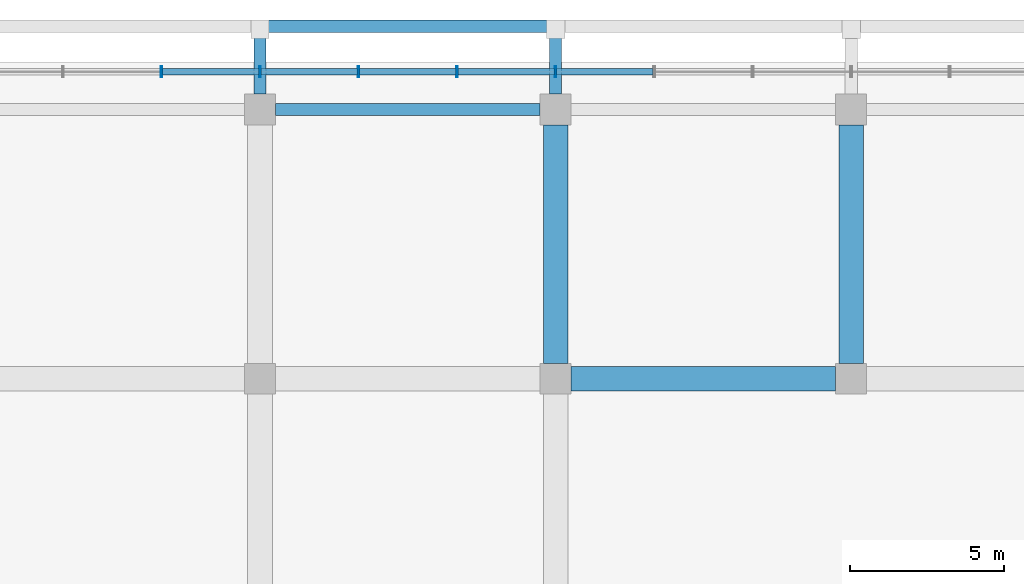
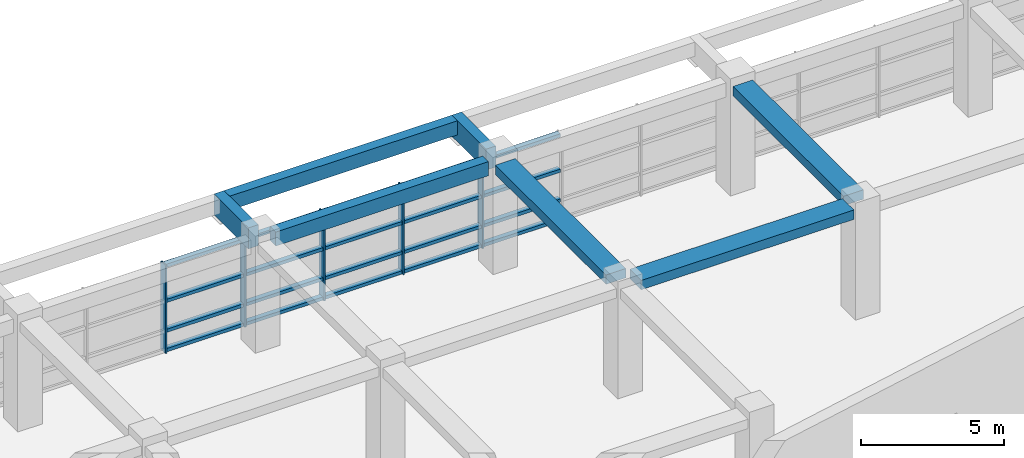
# One storey, part 4 of 31: 25 members, 7 beams, 1 element without a shape of its own.
"""IFC4 building model written with IfcOpenShell, lengths in metres."""

from ifc_helpers import new_model, si_unit, direction, frame, origin, origin_2d, place, context, subcontext, project, spatial, rectangle, hollow_rectangle, extrude, material, layer, layer_set, material_profile, profile_set, type_object, element, aggregate, save


model = new_model("IFC4")

# Units and contexts
model_context = context("Model", 3, precision=1e-05, world=origin(), true_north=direction((0.0, 1.0)))
body_context = subcontext(model_context, "Body", "Model", "MODEL_VIEW")
ifc_project = project(units=[si_unit("LENGTHUNIT", "METRE"), si_unit("AREAUNIT", "SQUARE_METRE"), si_unit("VOLUMEUNIT", "CUBIC_METRE"), si_unit("PLANEANGLEUNIT", "RADIAN"), si_unit("MASSUNIT", "GRAM", prefix="KILO")], contexts=[model_context])

# Site, building, storey
site_placement = place(None, origin())
site = spatial("IfcSite", under=ifc_project, at=site_placement, CompositionType="ELEMENT")
building_placement = place(site_placement, origin())
building = spatial("IfcBuilding", under=site, at=building_placement, Name="Nzadi Deep Aquarium and Research Tower", CompositionType="ELEMENT")
storey_placement = place(building_placement, frame((0.0, 0.0, 21.699951171875)))
storey = spatial("IfcBuildingStorey", under=building, at=storey_placement, Name="L03", CompositionType="ELEMENT", Elevation=21.699951171875)

# Curtain wall, members
ifc_material_1 = material(Name="Aluminium unitised frame tall span", Category="aluminium")
ifc_layer = layer(ifc_material_1, 0.35009765625)
ifc_layer_set = layer_set([ifc_layer], Name="Aluminium unitised frame tall span")
curtain_wall_type = type_object("IfcCurtainWallType", Name="Curtain wall Podium 350", PredefinedType="NOTDEFINED", material=ifc_layer_set)
curtain_wall_placement = place(storey_placement, origin())
curtain_wall = element("IfcCurtainWall", 1, at=curtain_wall_placement, inside=storey, type_object=curtain_wall_type, Name="North cascade curtain wall L03", PredefinedType="NOTDEFINED")
ifc_material_2 = material(Name="Aluminium unitised frame tall span", Category="aluminium")
ifc_material_profile_1 = material_profile(ifc_material_2, hollow_rectangle(XDim=0.35009765625, YDim=0.06005859375, WallThickness=0.0048828125, at=origin_2d()))
ifc_profile_set_1 = profile_set([ifc_material_profile_1], Name="Aluminium unitised frame tall span")
member_type_1 = type_object("IfcMemberType", Name="Mullion 60x350 Podium", PredefinedType="MULLION", material=ifc_profile_set_1)
member_1_placement = place(storey_placement, frame((16.0, 141.574951171875, 0.0), z_axis=(0.0, 0.0, 1.0), x_axis=(0.0, 1.0, 0.0)))
member_1 = element("IfcMember", 2, at=member_1_placement, type_object=member_type_1, Name="CW255 mullion 6", PredefinedType="MULLION", context=body_context, shape_type="SweptSolid", body=[
    extrude(hollow_rectangle(XDim=0.35009765625, YDim=0.06005859375, WallThickness=0.0048828125, at=origin_2d()), origin(), (0.0, 0.0, 1.0), 3.75),
])
member_2_placement = place(storey_placement, frame((19.199951171875, 141.574951171875, 0.0), z_axis=(0.0, 0.0, 1.0), x_axis=(0.0, 1.0, 0.0)))
member_2 = element("IfcMember", 3, at=member_2_placement, type_object=member_type_1, Name="CW255 mullion 7", PredefinedType="MULLION", context=body_context, shape_type="SweptSolid", body=[
    extrude(hollow_rectangle(XDim=0.35009765625, YDim=0.06005859375, WallThickness=0.0048828125, at=origin_2d()), origin(), (0.0, 0.0, 1.0), 3.75),
])
member_3_placement = place(storey_placement, frame((22.39990234375, 141.574951171875, 0.0), z_axis=(0.0, 0.0, 1.0), x_axis=(0.0, 1.0, 0.0)))
member_3 = element("IfcMember", 4, at=member_3_placement, type_object=member_type_1, Name="CW255 mullion 8", PredefinedType="MULLION", context=body_context, shape_type="SweptSolid", body=[
    extrude(hollow_rectangle(XDim=0.35009765625, YDim=0.06005859375, WallThickness=0.0048828125, at=origin_2d()), origin(), (0.0, 0.0, 1.0), 3.75),
])
member_4_placement = place(storey_placement, frame((25.60009765625, 141.574951171875, 0.0), z_axis=(0.0, 0.0, 1.0), x_axis=(0.0, 1.0, 0.0)))
member_4 = element("IfcMember", 5, at=member_4_placement, type_object=member_type_1, Name="CW255 mullion 9", PredefinedType="MULLION", context=body_context, shape_type="SweptSolid", body=[
    extrude(hollow_rectangle(XDim=0.35009765625, YDim=0.06005859375, WallThickness=0.0048828125, at=origin_2d()), origin(), (0.0, 0.0, 1.0), 3.75),
])
member_5_placement = place(storey_placement, frame((28.800048828125, 141.574951171875, 0.0), z_axis=(0.0, 0.0, 1.0), x_axis=(0.0, 1.0, 0.0)))
member_5 = element("IfcMember", 6, at=member_5_placement, type_object=member_type_1, Name="CW255 mullion 10", PredefinedType="MULLION", context=body_context, shape_type="SweptSolid", body=[
    extrude(hollow_rectangle(XDim=0.35009765625, YDim=0.06005859375, WallThickness=0.0048828125, at=origin_2d()), origin(), (0.0, 0.0, 1.0), 3.75),
])

# Beams
ifc_material_3 = material(Name="Concrete C35/45", Category="concrete")
ifc_material_profile_2 = material_profile(ifc_material_3, rectangle(XDim=0.39990234375, YDim=0.60009765625, at=origin_2d()))
ifc_profile_set_2 = profile_set([ifc_material_profile_2], Name="Concrete C35/45")
beam_type_1 = type_object("IfcBeamType", Name="RC 400x600", PredefinedType="BEAM", material=ifc_profile_set_2)
beam_1_placement = place(storey_placement, frame((19.699951171875, 140.35009765625, 4.35009765625), z_axis=(1.0, 0.0, 0.0), x_axis=(0.0, 1.0, 0.0)))
element("IfcBeam", 7, at=beam_1_placement, inside=storey, type_object=beam_type_1, Name="B-Z3-L03-L18-3", PredefinedType="BEAM", context=body_context, shape_type="SweptSolid", body=[
    extrude(rectangle(XDim=0.39990234375, YDim=0.60009765625, at=origin_2d()), origin(), (0.0, 0.0, 1.0), 8.60009765625),
])
beam_2_placement = place(storey_placement, frame((19.39990234375, 143.050048828125, 4.35009765625), z_axis=(1.0, 0.0, 0.0), x_axis=(0.0, 1.0, 0.0)))
element("IfcBeam", 8, at=beam_2_placement, inside=storey, type_object=beam_type_1, Name="B-Z3-L04-TB3", PredefinedType="BEAM", context=body_context, shape_type="SweptSolid", body=[
    extrude(rectangle(XDim=0.39990234375, YDim=0.60009765625, at=origin_2d()), origin(), (0.0, 0.0, 1.0), 9.2001953125),
])
ifc_material_4 = material(Name="Concrete C35/45", Category="concrete")
ifc_material_profile_3 = material_profile(ifc_material_4, rectangle(XDim=0.39990234375, YDim=0.89990234375, at=origin_2d()))
ifc_profile_set_3 = profile_set([ifc_material_profile_3], Name="Concrete C35/45")
beam_type_2 = type_object("IfcBeamType", Name="RC 400x900", PredefinedType="BEAM", material=ifc_profile_set_3)
for number, where, z_axis, x_axis, name in (
    (9, (19.199951171875, 140.85009765625, 4.199951171875), (0.0, 1.0, 0.0), (-1.0, 0.0, 0.0), "B-Z3-L04-CB3"),
    (10, (28.800048828125, 140.85009765625, 4.199951171875), (0.0, 1.0, 0.0), (-1.0, 0.0, 0.0), "B-Z3-L04-CB4"),
):
    element("IfcBeam", number, at=place(storey_placement, frame(where, z_axis=z_axis, x_axis=x_axis)), inside=storey, type_object=beam_type_2, Name=name, PredefinedType="BEAM", context=body_context, shape_type="SweptSolid", body=[
        extrude(rectangle(XDim=0.39990234375, YDim=0.89990234375, at=origin_2d()), origin(), (0.0, 0.0, 1.0), 2.39990234375),
    ])
ifc_material_5 = material(Name="Concrete C35/45", Category="concrete")
ifc_material_profile_4 = material_profile(ifc_material_5, rectangle(XDim=0.800048828125, YDim=0.39990234375, at=origin_2d()))
ifc_profile_set_4 = profile_set([ifc_material_profile_4], Name="Concrete C35/45")
beam_type_3 = type_object("IfcBeamType", Name="RC 800x400", PredefinedType="BEAM", material=ifc_profile_set_4)
beam_3_placement = place(storey_placement, frame((29.300048828125, 131.60009765625, 4.449951171875), z_axis=(1.0, 0.0, 0.0), x_axis=(0.0, 1.0, 0.0)))
element("IfcBeam", 11, at=beam_3_placement, inside=storey, type_object=beam_type_3, Name="B-Z3-L03-L17-4", PredefinedType="BEAM", context=body_context, shape_type="SweptSolid", body=[
    extrude(rectangle(XDim=0.800048828125, YDim=0.39990234375, at=origin_2d()), origin(), (0.0, 0.0, 1.0), 8.599853515625),
])
for number, where, z_axis, x_axis, name in (
    (12, (28.800048828125, 132.10009765625, 4.449951171875), (0.0, 1.0, 0.0), (-1.0, 0.0, 0.0), "B-Z3-L03-CD-5-13"),
    (13, (38.39990234375, 132.10009765625, 4.449951171875), (0.0, 1.0, 0.0), (-1.0, 0.0, 0.0), "B-Z3-L03-CE-5-13"),
):
    element("IfcBeam", number, at=place(storey_placement, frame(where, z_axis=z_axis, x_axis=x_axis)), inside=storey, type_object=beam_type_3, Name=name, PredefinedType="BEAM", context=body_context, shape_type="SweptSolid", body=[
        extrude(rectangle(XDim=0.800048828125, YDim=0.39990234375, at=origin_2d()), origin(), (0.0, 0.0, 1.0), 7.75),
    ])

# Member
ifc_material_6 = material(Name="Aluminium unitised frame tall span", Category="aluminium")
ifc_material_profile_5 = material_profile(ifc_material_6, hollow_rectangle(XDim=0.199951171875, YDim=0.139892578125, WallThickness=0.0048828125, at=origin_2d()))
ifc_profile_set_5 = profile_set([ifc_material_profile_5], Name="Aluminium unitised frame tall span")
member_type_2 = type_object("IfcMemberType", Name="Transom 140x200 Podium", PredefinedType="MULLION", material=ifc_profile_set_5)
member_6_placement = place(storey_placement, frame((16.030029296875, 141.574951171875, 0.070068359375), z_axis=(1.0, 0.0, 0.0), x_axis=(0.0, 1.0, 0.0)))
member_6 = element("IfcMember", 14, at=member_6_placement, type_object=member_type_2, Name="CW255 transom 6.1", PredefinedType="MULLION", context=body_context, shape_type="SweptSolid", body=[
    extrude(hollow_rectangle(XDim=0.199951171875, YDim=0.139892578125, WallThickness=0.0048828125, at=origin_2d()), origin(), (0.0, 0.0, 1.0), 3.139892578125),
])

member_7_placement = place(storey_placement, frame((16.030029296875, 141.574951171875, 0.900146484375), z_axis=(1.0, 0.0, 0.0), x_axis=(0.0, 1.0, 0.0)))
member_7 = element("IfcMember", 15, at=member_7_placement, type_object=member_type_2, Name="CW255 transom 6.2", PredefinedType="MULLION", context=body_context, shape_type="SweptSolid", body=[
    extrude(hollow_rectangle(XDim=0.199951171875, YDim=0.139892578125, WallThickness=0.0048828125, at=origin_2d()), origin(), (0.0, 0.0, 1.0), 3.139892578125),
])

member_8_placement = place(storey_placement, frame((16.030029296875, 141.574951171875, 2.175048828125), z_axis=(1.0, 0.0, 0.0), x_axis=(0.0, 1.0, 0.0)))
member_8 = element("IfcMember", 16, at=member_8_placement, type_object=member_type_2, Name="CW255 transom 6.3", PredefinedType="MULLION", context=body_context, shape_type="SweptSolid", body=[
    extrude(hollow_rectangle(XDim=0.199951171875, YDim=0.139892578125, WallThickness=0.0048828125, at=origin_2d()), origin(), (0.0, 0.0, 1.0), 3.139892578125),
])

member_9_placement = place(storey_placement, frame((16.030029296875, 141.574951171875, 3.679931640625), z_axis=(1.0, 0.0, 0.0), x_axis=(0.0, 1.0, 0.0)))
member_9 = element("IfcMember", 17, at=member_9_placement, type_object=member_type_2, Name="CW255 transom 6.4", PredefinedType="MULLION", context=body_context, shape_type="SweptSolid", body=[
    extrude(hollow_rectangle(XDim=0.199951171875, YDim=0.139892578125, WallThickness=0.0048828125, at=origin_2d()), origin(), (0.0, 0.0, 1.0), 3.139892578125),
])

member_10_placement = place(storey_placement, frame((19.22998046875, 141.574951171875, 0.070068359375), z_axis=(1.0, 0.0, 0.0), x_axis=(0.0, 1.0, 0.0)))
member_10 = element("IfcMember", 18, at=member_10_placement, type_object=member_type_2, Name="CW255 transom 7.1", PredefinedType="MULLION", context=body_context, shape_type="SweptSolid", body=[
    extrude(hollow_rectangle(XDim=0.199951171875, YDim=0.139892578125, WallThickness=0.0048828125, at=origin_2d()), origin(), (0.0, 0.0, 1.0), 3.14013671875),
])

member_11_placement = place(storey_placement, frame((19.22998046875, 141.574951171875, 0.900146484375), z_axis=(1.0, 0.0, 0.0), x_axis=(0.0, 1.0, 0.0)))
member_11 = element("IfcMember", 19, at=member_11_placement, type_object=member_type_2, Name="CW255 transom 7.2", PredefinedType="MULLION", context=body_context, shape_type="SweptSolid", body=[
    extrude(hollow_rectangle(XDim=0.199951171875, YDim=0.139892578125, WallThickness=0.0048828125, at=origin_2d()), origin(), (0.0, 0.0, 1.0), 3.14013671875),
])

member_12_placement = place(storey_placement, frame((19.22998046875, 141.574951171875, 2.175048828125), z_axis=(1.0, 0.0, 0.0), x_axis=(0.0, 1.0, 0.0)))
member_12 = element("IfcMember", 20, at=member_12_placement, type_object=member_type_2, Name="CW255 transom 7.3", PredefinedType="MULLION", context=body_context, shape_type="SweptSolid", body=[
    extrude(hollow_rectangle(XDim=0.199951171875, YDim=0.139892578125, WallThickness=0.0048828125, at=origin_2d()), origin(), (0.0, 0.0, 1.0), 3.14013671875),
])

member_13_placement = place(storey_placement, frame((19.22998046875, 141.574951171875, 3.679931640625), z_axis=(1.0, 0.0, 0.0), x_axis=(0.0, 1.0, 0.0)))
member_13 = element("IfcMember", 21, at=member_13_placement, type_object=member_type_2, Name="CW255 transom 7.4", PredefinedType="MULLION", context=body_context, shape_type="SweptSolid", body=[
    extrude(hollow_rectangle(XDim=0.199951171875, YDim=0.139892578125, WallThickness=0.0048828125, at=origin_2d()), origin(), (0.0, 0.0, 1.0), 3.14013671875),
])

member_14_placement = place(storey_placement, frame((22.429931640625, 141.574951171875, 0.070068359375), z_axis=(1.0, 0.0, 0.0), x_axis=(0.0, 1.0, 0.0)))
member_14 = element("IfcMember", 22, at=member_14_placement, type_object=member_type_2, Name="CW255 transom 8.1", PredefinedType="MULLION", context=body_context, shape_type="SweptSolid", body=[
    extrude(hollow_rectangle(XDim=0.199951171875, YDim=0.139892578125, WallThickness=0.0048828125, at=origin_2d()), origin(), (0.0, 0.0, 1.0), 3.14013671875),
])

member_15_placement = place(storey_placement, frame((22.429931640625, 141.574951171875, 0.900146484375), z_axis=(1.0, 0.0, 0.0), x_axis=(0.0, 1.0, 0.0)))
member_15 = element("IfcMember", 23, at=member_15_placement, type_object=member_type_2, Name="CW255 transom 8.2", PredefinedType="MULLION", context=body_context, shape_type="SweptSolid", body=[
    extrude(hollow_rectangle(XDim=0.199951171875, YDim=0.139892578125, WallThickness=0.0048828125, at=origin_2d()), origin(), (0.0, 0.0, 1.0), 3.14013671875),
])

member_16_placement = place(storey_placement, frame((22.429931640625, 141.574951171875, 2.175048828125), z_axis=(1.0, 0.0, 0.0), x_axis=(0.0, 1.0, 0.0)))
member_16 = element("IfcMember", 24, at=member_16_placement, type_object=member_type_2, Name="CW255 transom 8.3", PredefinedType="MULLION", context=body_context, shape_type="SweptSolid", body=[
    extrude(hollow_rectangle(XDim=0.199951171875, YDim=0.139892578125, WallThickness=0.0048828125, at=origin_2d()), origin(), (0.0, 0.0, 1.0), 3.14013671875),
])

member_17_placement = place(storey_placement, frame((22.429931640625, 141.574951171875, 3.679931640625), z_axis=(1.0, 0.0, 0.0), x_axis=(0.0, 1.0, 0.0)))
member_17 = element("IfcMember", 25, at=member_17_placement, type_object=member_type_2, Name="CW255 transom 8.4", PredefinedType="MULLION", context=body_context, shape_type="SweptSolid", body=[
    extrude(hollow_rectangle(XDim=0.199951171875, YDim=0.139892578125, WallThickness=0.0048828125, at=origin_2d()), origin(), (0.0, 0.0, 1.0), 3.14013671875),
])

member_18_placement = place(storey_placement, frame((25.6298828125, 141.574951171875, 0.070068359375), z_axis=(1.0, 0.0, 0.0), x_axis=(0.0, 1.0, 0.0)))
member_18 = element("IfcMember", 26, at=member_18_placement, type_object=member_type_2, Name="CW255 transom 9.1", PredefinedType="MULLION", context=body_context, shape_type="SweptSolid", body=[
    extrude(hollow_rectangle(XDim=0.199951171875, YDim=0.139892578125, WallThickness=0.0048828125, at=origin_2d()), origin(), (0.0, 0.0, 1.0), 3.14013671875),
])

member_19_placement = place(storey_placement, frame((25.6298828125, 141.574951171875, 0.900146484375), z_axis=(1.0, 0.0, 0.0), x_axis=(0.0, 1.0, 0.0)))
member_19 = element("IfcMember", 27, at=member_19_placement, type_object=member_type_2, Name="CW255 transom 9.2", PredefinedType="MULLION", context=body_context, shape_type="SweptSolid", body=[
    extrude(hollow_rectangle(XDim=0.199951171875, YDim=0.139892578125, WallThickness=0.0048828125, at=origin_2d()), origin(), (0.0, 0.0, 1.0), 3.14013671875),
])

member_20_placement = place(storey_placement, frame((25.6298828125, 141.574951171875, 2.175048828125), z_axis=(1.0, 0.0, 0.0), x_axis=(0.0, 1.0, 0.0)))
member_20 = element("IfcMember", 28, at=member_20_placement, type_object=member_type_2, Name="CW255 transom 9.3", PredefinedType="MULLION", context=body_context, shape_type="SweptSolid", body=[
    extrude(hollow_rectangle(XDim=0.199951171875, YDim=0.139892578125, WallThickness=0.0048828125, at=origin_2d()), origin(), (0.0, 0.0, 1.0), 3.14013671875),
])

member_21_placement = place(storey_placement, frame((25.6298828125, 141.574951171875, 3.679931640625), z_axis=(1.0, 0.0, 0.0), x_axis=(0.0, 1.0, 0.0)))
member_21 = element("IfcMember", 29, at=member_21_placement, type_object=member_type_2, Name="CW255 transom 9.4", PredefinedType="MULLION", context=body_context, shape_type="SweptSolid", body=[
    extrude(hollow_rectangle(XDim=0.199951171875, YDim=0.139892578125, WallThickness=0.0048828125, at=origin_2d()), origin(), (0.0, 0.0, 1.0), 3.14013671875),
])

member_22_placement = place(storey_placement, frame((28.830078125, 141.574951171875, 0.070068359375), z_axis=(1.0, 0.0, 0.0), x_axis=(0.0, 1.0, 0.0)))
member_22 = element("IfcMember", 30, at=member_22_placement, type_object=member_type_2, Name="CW255 transom 10.1", PredefinedType="MULLION", context=body_context, shape_type="SweptSolid", body=[
    extrude(hollow_rectangle(XDim=0.199951171875, YDim=0.139892578125, WallThickness=0.0048828125, at=origin_2d()), origin(), (0.0, 0.0, 1.0), 3.139892578125),
])

member_23_placement = place(storey_placement, frame((28.830078125, 141.574951171875, 0.900146484375), z_axis=(1.0, 0.0, 0.0), x_axis=(0.0, 1.0, 0.0)))
member_23 = element("IfcMember", 31, at=member_23_placement, type_object=member_type_2, Name="CW255 transom 10.2", PredefinedType="MULLION", context=body_context, shape_type="SweptSolid", body=[
    extrude(hollow_rectangle(XDim=0.199951171875, YDim=0.139892578125, WallThickness=0.0048828125, at=origin_2d()), origin(), (0.0, 0.0, 1.0), 3.139892578125),
])

member_24_placement = place(storey_placement, frame((28.830078125, 141.574951171875, 2.175048828125), z_axis=(1.0, 0.0, 0.0), x_axis=(0.0, 1.0, 0.0)))
member_24 = element("IfcMember", 32, at=member_24_placement, type_object=member_type_2, Name="CW255 transom 10.3", PredefinedType="MULLION", context=body_context, shape_type="SweptSolid", body=[
    extrude(hollow_rectangle(XDim=0.199951171875, YDim=0.139892578125, WallThickness=0.0048828125, at=origin_2d()), origin(), (0.0, 0.0, 1.0), 3.139892578125),
])

member_25_placement = place(storey_placement, frame((28.830078125, 141.574951171875, 3.679931640625), z_axis=(1.0, 0.0, 0.0), x_axis=(0.0, 1.0, 0.0)))
member_25 = element("IfcMember", 33, at=member_25_placement, type_object=member_type_2, Name="CW255 transom 10.4", PredefinedType="MULLION", context=body_context, shape_type="SweptSolid", body=[
    extrude(hollow_rectangle(XDim=0.199951171875, YDim=0.139892578125, WallThickness=0.0048828125, at=origin_2d()), origin(), (0.0, 0.0, 1.0), 3.139892578125),
])

aggregate(curtain_wall, [member_1, member_2, member_3, member_4, member_5, member_6, member_7, member_8, member_9, member_10, member_11, member_12, member_13, member_14, member_15, member_16, member_17, member_18, member_19, member_20, member_21, member_22, member_23, member_24, member_25])

save(model, "model.ifc")
